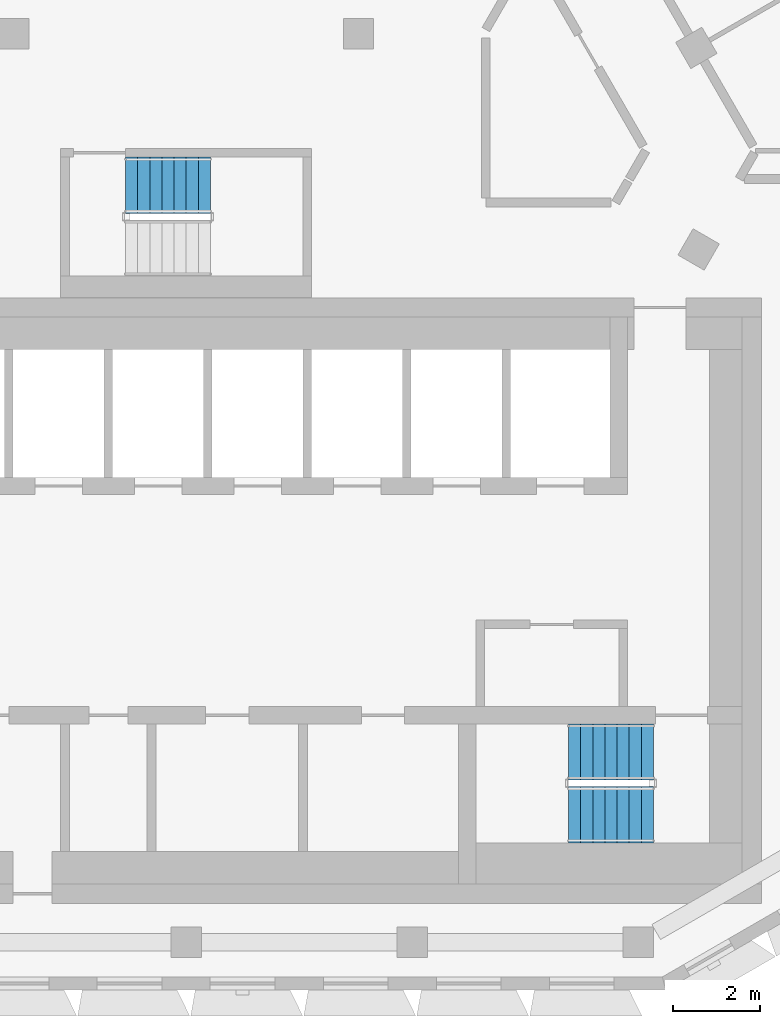
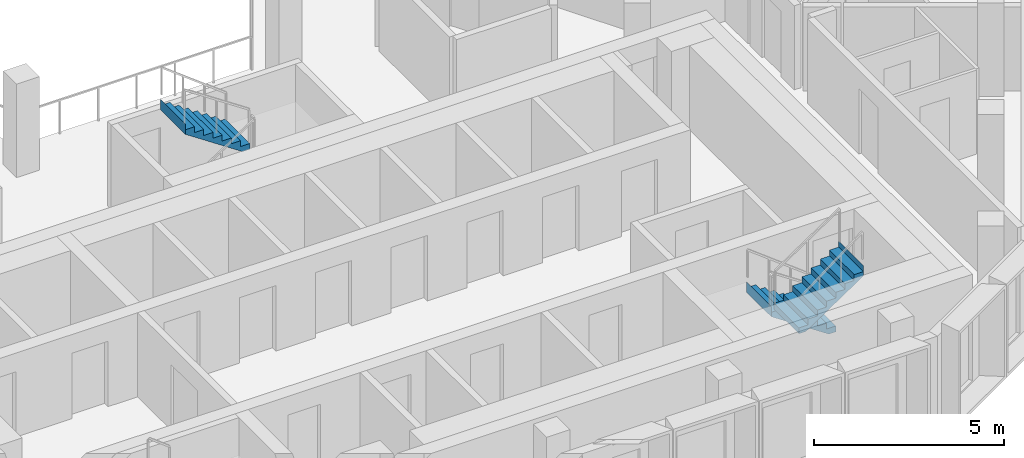
# One storey, part 11 of 16: 3 stair flights, 2 elements without a shape of their own.
"""IFC4 building model written with IfcOpenShell, lengths in metres."""

from ifc_helpers import new_model, si_unit, direction, frame, origin, place, context, subcontext, project, spatial, triangles, material, type_object, element, aggregate, save


model = new_model("IFC4")

# Units and contexts
model_context = context("Model", 3, precision=1e-05, world=origin(), true_north=direction((0.0, 1.0)))
body_context = subcontext(model_context, "Body", "Model", "MODEL_VIEW")
ifc_project = project(units=[si_unit("LENGTHUNIT", "METRE"), si_unit("AREAUNIT", "SQUARE_METRE"), si_unit("VOLUMEUNIT", "CUBIC_METRE"), si_unit("PLANEANGLEUNIT", "RADIAN"), si_unit("MASSUNIT", "GRAM", prefix="KILO")], contexts=[model_context])

# Site, building, storey
site_placement = place(None, origin())
site = spatial("IfcSite", under=ifc_project, at=site_placement, CompositionType="ELEMENT")
building_placement = place(site_placement, origin())
building = spatial("IfcBuilding", under=site, at=building_placement, Name="Beryl Residences", CompositionType="ELEMENT")
storey_placement = place(building_placement, frame((0.0, 0.0, 220.800048828125)))
storey = spatial("IfcBuildingStorey", under=building, at=storey_placement, Name="L68", CompositionType="ELEMENT", Elevation=220.800048828125)

# Stair, stair flights
ifc_material_1 = material(Name="Concrete C40/50", Category="concrete")
stair_type = type_object("IfcStairType", Name="ST1 protected exit stair, half-turn, 1300 mm flights", PredefinedType="HALF_TURN_STAIR", material=ifc_material_1)
stair_1_placement = place(storey_placement, origin())
stair_1 = element("IfcStair", 1, at=stair_1_placement, inside=storey, type_object=stair_type, Name="L68 PROTECTED EXIT STAIR ST-3", PredefinedType="HALF_TURN_STAIR")
ifc_material_2 = material(Name="Concrete C40/50", Category="concrete")
stair_flight_type = type_object("IfcStairFlightType", Name="SF1 stair flight 1300 mm", PredefinedType="STRAIGHT", material=ifc_material_2)
stair_flight_1_placement = place(storey_placement, frame((10.800048828125, -15.5, 0.0), z_axis=(0.0, 0.0, 1.0), x_axis=(-1.0, 0.0, 0.0)))
stair_flight_1 = element("IfcStairFlight", 2, at=stair_flight_1_placement, type_object=stair_flight_type, Name="ST-3 flight 1", NumberOfRisers=8, NumberOfTreads=7, PredefinedType="STRAIGHT", RiserHeight=0.1875, TreadLength=0.28, context=body_context, shape_type="Tessellation", body=[
    triangles([(0.0, -0.64990234375, 0.0), (0.0, -0.324951171875, 0.0), (0.0, 0.0, 0.0), (0.0, 0.324951171875, 0.0), (0.0, 0.64990234375, 0.0), (0.0, -0.64990234375, 0.1875), (0.0, -0.324951171875, 0.1875), (0.0, 0.0, 0.1875), (0.0, 0.324951171875, 0.1875), (0.0, 0.64990234375, 0.1875), (0.280029296875, -0.64990234375, 0.1875), (0.280029296875, -0.324951171875, 0.1875), (0.280029296875, 0.0, 0.1875), (0.280029296875, 0.324951171875, 0.1875), (0.280029296875, 0.64990234375, 0.1875), (0.280029296875, -0.64990234375, 0.375), (0.280029296875, -0.324951171875, 0.375), (0.280029296875, 0.0, 0.375), (0.280029296875, 0.324951171875, 0.375), (0.280029296875, 0.64990234375, 0.375), (0.56005859375, -0.64990234375, 0.375), (0.56005859375, -0.324951171875, 0.375), (0.56005859375, 0.0, 0.375), (0.56005859375, 0.324951171875, 0.375), (0.56005859375, 0.64990234375, 0.375), (0.56005859375, -0.64990234375, 0.5625), (0.56005859375, -0.324951171875, 0.5625), (0.56005859375, 0.0, 0.5625), (0.56005859375, 0.324951171875, 0.5625), (0.56005859375, 0.64990234375, 0.5625), (0.840087890625, -0.64990234375, 0.5625), (0.840087890625, -0.324951171875, 0.5625), (0.840087890625, 0.0, 0.5625), (0.840087890625, 0.324951171875, 0.5625), (0.840087890625, 0.64990234375, 0.5625), (0.840087890625, -0.64990234375, 0.75), (0.840087890625, -0.324951171875, 0.75), (0.840087890625, 0.0, 0.75), (0.840087890625, 0.324951171875, 0.75), (0.840087890625, 0.64990234375, 0.75), (1.1201171875, -0.64990234375, 0.75), (1.1201171875, -0.324951171875, 0.75), (1.1201171875, 0.0, 0.75), (1.1201171875, 0.324951171875, 0.75), (1.1201171875, 0.64990234375, 0.75), (1.1201171875, -0.64990234375, 0.9375), (1.1201171875, -0.324951171875, 0.9375), (1.1201171875, 0.0, 0.9375), (1.1201171875, 0.324951171875, 0.9375), (1.1201171875, 0.64990234375, 0.9375), (1.39990234375, -0.64990234375, 0.9375), (1.39990234375, -0.324951171875, 0.9375), (1.39990234375, 0.0, 0.9375), (1.39990234375, 0.324951171875, 0.9375), (1.39990234375, 0.64990234375, 0.9375), (1.39990234375, -0.64990234375, 1.125), (1.39990234375, -0.324951171875, 1.125), (1.39990234375, 0.0, 1.125), (1.39990234375, 0.324951171875, 1.125), (1.39990234375, 0.64990234375, 1.125), (1.679931640625, -0.64990234375, 1.125), (1.679931640625, -0.324951171875, 1.125), (1.679931640625, 0.0, 1.125), (1.679931640625, 0.324951171875, 1.125), (1.679931640625, 0.64990234375, 1.125), (1.679931640625, -0.64990234375, 1.3125), (1.679931640625, -0.324951171875, 1.3125), (1.679931640625, 0.0, 1.3125), (1.679931640625, 0.324951171875, 1.3125), (1.679931640625, 0.64990234375, 1.3125), (1.9599609375, -0.64990234375, 1.3125), (1.9599609375, -0.324951171875, 1.3125), (1.9599609375, 0.0, 1.3125), (1.9599609375, 0.324951171875, 1.3125), (1.9599609375, 0.64990234375, 1.3125), (1.9599609375, -0.64990234375, 1.5), (1.9599609375, -0.324951171875, 1.5), (1.9599609375, 0.0, 1.5), (1.9599609375, 0.324951171875, 1.5), (1.9599609375, 0.64990234375, 1.5), (1.9609375, -0.64990234375, 1.5), (1.9609375, -0.324951171875, 1.5), (1.9609375, 0.0, 1.5), (1.9609375, 0.324951171875, 1.5), (1.9609375, 0.64990234375, 1.5), (1.9609375, -0.64990234375, 1.16796875), (1.9609375, -0.324951171875, 1.16796875), (1.9609375, 0.0, 1.16796875), (1.9609375, 0.324951171875, 1.16796875), (1.9609375, 0.64990234375, 1.16796875), (0.216796875, -0.64990234375, 0.0), (0.216796875, -0.324951171875, 0.0), (0.216796875, 0.0, 0.0), (0.216796875, 0.324951171875, 0.0), (0.216796875, 0.64990234375, 0.0)], [[1, 6, 7], [1, 7, 2], [2, 7, 8], [2, 8, 3], [3, 8, 9], [3, 9, 4], [4, 9, 10], [4, 10, 5], [6, 11, 12], [6, 12, 7], [7, 12, 13], [7, 13, 8], [8, 13, 14], [8, 14, 9], [9, 14, 15], [9, 15, 10], [11, 16, 17], [11, 17, 12], [12, 17, 18], [12, 18, 13], [13, 18, 19], [13, 19, 14], [14, 19, 20], [14, 20, 15], [16, 21, 22], [16, 22, 17], [17, 22, 23], [17, 23, 18], [18, 23, 24], [18, 24, 19], [19, 24, 25], [19, 25, 20], [21, 26, 27], [21, 27, 22], [22, 27, 28], [22, 28, 23], [23, 28, 29], [23, 29, 24], [24, 29, 30], [24, 30, 25], [26, 31, 32], [26, 32, 27], [27, 32, 33], [27, 33, 28], [28, 33, 34], [28, 34, 29], [29, 34, 35], [29, 35, 30], [31, 36, 37], [31, 37, 32], [32, 37, 38], [32, 38, 33], [33, 38, 39], [33, 39, 34], [34, 39, 40], [34, 40, 35], [36, 41, 42], [36, 42, 37], [37, 42, 43], [37, 43, 38], [38, 43, 44], [38, 44, 39], [39, 44, 45], [39, 45, 40], [41, 46, 47], [41, 47, 42], [42, 47, 48], [42, 48, 43], [43, 48, 49], [43, 49, 44], [44, 49, 50], [44, 50, 45], [46, 51, 52], [46, 52, 47], [47, 52, 53], [47, 53, 48], [48, 53, 54], [48, 54, 49], [49, 54, 55], [49, 55, 50], [51, 56, 57], [51, 57, 52], [52, 57, 58], [52, 58, 53], [53, 58, 59], [53, 59, 54], [54, 59, 60], [54, 60, 55], [56, 61, 62], [56, 62, 57], [57, 62, 63], [57, 63, 58], [58, 63, 64], [58, 64, 59], [59, 64, 65], [59, 65, 60], [61, 66, 67], [61, 67, 62], [62, 67, 68], [62, 68, 63], [63, 68, 69], [63, 69, 64], [64, 69, 70], [64, 70, 65], [66, 71, 72], [66, 72, 67], [67, 72, 73], [67, 73, 68], [68, 73, 74], [68, 74, 69], [69, 74, 75], [69, 75, 70], [71, 76, 77], [71, 77, 72], [72, 77, 78], [72, 78, 73], [73, 78, 79], [73, 79, 74], [74, 79, 80], [74, 80, 75], [76, 81, 82], [76, 82, 77], [77, 82, 83], [77, 83, 78], [78, 83, 84], [78, 84, 79], [79, 84, 85], [79, 85, 80], [81, 86, 87], [81, 87, 82], [82, 87, 88], [82, 88, 83], [83, 88, 89], [83, 89, 84], [84, 89, 90], [84, 90, 85], [86, 91, 92], [86, 92, 87], [87, 92, 93], [87, 93, 88], [88, 93, 94], [88, 94, 89], [89, 94, 95], [89, 95, 90], [91, 1, 2], [91, 2, 92], [92, 2, 3], [92, 3, 93], [93, 3, 4], [93, 4, 94], [94, 4, 5], [94, 5, 95], [1, 91, 86], [5, 90, 95], [86, 81, 76], [90, 80, 85], [86, 76, 71], [90, 75, 80], [86, 71, 66], [90, 70, 75], [86, 66, 61], [90, 65, 70], [61, 56, 51], [65, 55, 60], [86, 61, 51], [90, 55, 65], [51, 46, 41], [55, 45, 50], [86, 51, 41], [90, 45, 55], [41, 36, 31], [45, 35, 40], [86, 41, 31], [90, 35, 45], [31, 26, 21], [35, 25, 30], [86, 31, 21], [90, 25, 35], [21, 16, 11], [25, 15, 20], [86, 21, 11], [90, 15, 25], [1, 86, 11], [5, 15, 90], [11, 6, 1], [15, 5, 10]], closed=True),
])
stair_flight_2_placement = place(storey_placement, frame((8.840087890625, -16.949951171875, 1.5), z_axis=(0.0, 0.0, 1.0), x_axis=(1.0, 0.0, 0.0)))
stair_flight_2 = element("IfcStairFlight", 3, at=stair_flight_2_placement, type_object=stair_flight_type, Name="ST-3 flight 2", NumberOfRisers=8, NumberOfTreads=7, PredefinedType="STRAIGHT", RiserHeight=0.1875, TreadLength=0.28, context=body_context, shape_type="Tessellation", body=[
    triangles([(0.0, -0.64990234375, 0.0), (0.0, -0.324951171875, 0.0), (0.0, 0.0, 0.0), (0.0, 0.324951171875, 0.0), (0.0, 0.64990234375, 0.0), (0.0, -0.64990234375, 0.1875), (0.0, -0.324951171875, 0.1875), (0.0, 0.0, 0.1875), (0.0, 0.324951171875, 0.1875), (0.0, 0.64990234375, 0.1875), (0.280029296875, -0.64990234375, 0.1875), (0.280029296875, -0.324951171875, 0.1875), (0.280029296875, 0.0, 0.1875), (0.280029296875, 0.324951171875, 0.1875), (0.280029296875, 0.64990234375, 0.1875), (0.280029296875, -0.64990234375, 0.375), (0.280029296875, -0.324951171875, 0.375), (0.280029296875, 0.0, 0.375), (0.280029296875, 0.324951171875, 0.375), (0.280029296875, 0.64990234375, 0.375), (0.56005859375, -0.64990234375, 0.375), (0.56005859375, -0.324951171875, 0.375), (0.56005859375, 0.0, 0.375), (0.56005859375, 0.324951171875, 0.375), (0.56005859375, 0.64990234375, 0.375), (0.56005859375, -0.64990234375, 0.5625), (0.56005859375, -0.324951171875, 0.5625), (0.56005859375, 0.0, 0.5625), (0.56005859375, 0.324951171875, 0.5625), (0.56005859375, 0.64990234375, 0.5625), (0.840087890625, -0.64990234375, 0.5625), (0.840087890625, -0.324951171875, 0.5625), (0.840087890625, 0.0, 0.5625), (0.840087890625, 0.324951171875, 0.5625), (0.840087890625, 0.64990234375, 0.5625), (0.840087890625, -0.64990234375, 0.75), (0.840087890625, -0.324951171875, 0.75), (0.840087890625, 0.0, 0.75), (0.840087890625, 0.324951171875, 0.75), (0.840087890625, 0.64990234375, 0.75), (1.1201171875, -0.64990234375, 0.75), (1.1201171875, -0.324951171875, 0.75), (1.1201171875, 0.0, 0.75), (1.1201171875, 0.324951171875, 0.75), (1.1201171875, 0.64990234375, 0.75), (1.1201171875, -0.64990234375, 0.9375), (1.1201171875, -0.324951171875, 0.9375), (1.1201171875, 0.0, 0.9375), (1.1201171875, 0.324951171875, 0.9375), (1.1201171875, 0.64990234375, 0.9375), (1.39990234375, -0.64990234375, 0.9375), (1.39990234375, -0.324951171875, 0.9375), (1.39990234375, 0.0, 0.9375), (1.39990234375, 0.324951171875, 0.9375), (1.39990234375, 0.64990234375, 0.9375), (1.39990234375, -0.64990234375, 1.125), (1.39990234375, -0.324951171875, 1.125), (1.39990234375, 0.0, 1.125), (1.39990234375, 0.324951171875, 1.125), (1.39990234375, 0.64990234375, 1.125), (1.679931640625, -0.64990234375, 1.125), (1.679931640625, -0.324951171875, 1.125), (1.679931640625, 0.0, 1.125), (1.679931640625, 0.324951171875, 1.125), (1.679931640625, 0.64990234375, 1.125), (1.679931640625, -0.64990234375, 1.3125), (1.679931640625, -0.324951171875, 1.3125), (1.679931640625, 0.0, 1.3125), (1.679931640625, 0.324951171875, 1.3125), (1.679931640625, 0.64990234375, 1.3125), (1.9599609375, -0.64990234375, 1.3125), (1.9599609375, -0.324951171875, 1.3125), (1.9599609375, 0.0, 1.3125), (1.9599609375, 0.324951171875, 1.3125), (1.9599609375, 0.64990234375, 1.3125), (1.9599609375, -0.64990234375, 1.5), (1.9599609375, -0.324951171875, 1.5), (1.9599609375, 0.0, 1.5), (1.9599609375, 0.324951171875, 1.5), (1.9599609375, 0.64990234375, 1.5), (1.9609375, -0.64990234375, 1.5), (1.9609375, -0.324951171875, 1.5), (1.9609375, 0.0, 1.5), (1.9609375, 0.324951171875, 1.5), (1.9609375, 0.64990234375, 1.5), (1.9609375, -0.64990234375, 1.16796875), (1.9609375, -0.324951171875, 1.16796875), (1.9609375, 0.0, 1.16796875), (1.9609375, 0.324951171875, 1.16796875), (1.9609375, 0.64990234375, 1.16796875), (0.216796875, -0.64990234375, 0.0), (0.216796875, -0.324951171875, 0.0), (0.216796875, 0.0, 0.0), (0.216796875, 0.324951171875, 0.0), (0.216796875, 0.64990234375, 0.0)], [[1, 6, 7], [1, 7, 2], [2, 7, 8], [2, 8, 3], [3, 8, 9], [3, 9, 4], [4, 9, 10], [4, 10, 5], [6, 11, 12], [6, 12, 7], [7, 12, 13], [7, 13, 8], [8, 13, 14], [8, 14, 9], [9, 14, 15], [9, 15, 10], [11, 16, 17], [11, 17, 12], [12, 17, 18], [12, 18, 13], [13, 18, 19], [13, 19, 14], [14, 19, 20], [14, 20, 15], [16, 21, 22], [16, 22, 17], [17, 22, 23], [17, 23, 18], [18, 23, 24], [18, 24, 19], [19, 24, 25], [19, 25, 20], [21, 26, 27], [21, 27, 22], [22, 27, 28], [22, 28, 23], [23, 28, 29], [23, 29, 24], [24, 29, 30], [24, 30, 25], [26, 31, 32], [26, 32, 27], [27, 32, 33], [27, 33, 28], [28, 33, 34], [28, 34, 29], [29, 34, 35], [29, 35, 30], [31, 36, 37], [31, 37, 32], [32, 37, 38], [32, 38, 33], [33, 38, 39], [33, 39, 34], [34, 39, 40], [34, 40, 35], [36, 41, 42], [36, 42, 37], [37, 42, 43], [37, 43, 38], [38, 43, 44], [38, 44, 39], [39, 44, 45], [39, 45, 40], [41, 46, 47], [41, 47, 42], [42, 47, 48], [42, 48, 43], [43, 48, 49], [43, 49, 44], [44, 49, 50], [44, 50, 45], [46, 51, 52], [46, 52, 47], [47, 52, 53], [47, 53, 48], [48, 53, 54], [48, 54, 49], [49, 54, 55], [49, 55, 50], [51, 56, 57], [51, 57, 52], [52, 57, 58], [52, 58, 53], [53, 58, 59], [53, 59, 54], [54, 59, 60], [54, 60, 55], [56, 61, 62], [56, 62, 57], [57, 62, 63], [57, 63, 58], [58, 63, 64], [58, 64, 59], [59, 64, 65], [59, 65, 60], [61, 66, 67], [61, 67, 62], [62, 67, 68], [62, 68, 63], [63, 68, 69], [63, 69, 64], [64, 69, 70], [64, 70, 65], [66, 71, 72], [66, 72, 67], [67, 72, 73], [67, 73, 68], [68, 73, 74], [68, 74, 69], [69, 74, 75], [69, 75, 70], [71, 76, 77], [71, 77, 72], [72, 77, 78], [72, 78, 73], [73, 78, 79], [73, 79, 74], [74, 79, 80], [74, 80, 75], [76, 81, 82], [76, 82, 77], [77, 82, 83], [77, 83, 78], [78, 83, 84], [78, 84, 79], [79, 84, 85], [79, 85, 80], [81, 86, 87], [81, 87, 82], [82, 87, 88], [82, 88, 83], [83, 88, 89], [83, 89, 84], [84, 89, 90], [84, 90, 85], [86, 91, 92], [86, 92, 87], [87, 92, 93], [87, 93, 88], [88, 93, 94], [88, 94, 89], [89, 94, 95], [89, 95, 90], [91, 1, 2], [91, 2, 92], [92, 2, 3], [92, 3, 93], [93, 3, 4], [93, 4, 94], [94, 4, 5], [94, 5, 95], [1, 91, 86], [5, 90, 95], [86, 81, 76], [90, 80, 85], [86, 76, 71], [90, 75, 80], [86, 71, 66], [90, 70, 75], [86, 66, 61], [90, 65, 70], [61, 56, 51], [65, 55, 60], [86, 61, 51], [90, 55, 65], [51, 46, 41], [55, 45, 50], [86, 51, 41], [90, 45, 55], [41, 36, 31], [45, 35, 40], [86, 41, 31], [90, 35, 45], [31, 26, 21], [35, 25, 30], [86, 31, 21], [90, 25, 35], [21, 16, 11], [25, 15, 20], [86, 21, 11], [90, 15, 25], [1, 86, 11], [5, 15, 90], [11, 6, 1], [15, 5, 10]], closed=True),
])
aggregate(stair_1, [stair_flight_1, stair_flight_2])

# Stair, stair flight
stair_2_placement = place(storey_placement, origin())
stair_2 = element("IfcStair", 4, at=stair_2_placement, inside=storey, type_object=stair_type, Name="L68 PROTECTED EXIT STAIR ST-4", PredefinedType="HALF_TURN_STAIR")
stair_flight_3_placement = place(storey_placement, frame((0.56005859375, -2.39990234375, 1.5), z_axis=(0.0, 0.0, 1.0), x_axis=(-1.0, 0.0, 0.0)))
stair_flight_3 = element("IfcStairFlight", 5, at=stair_flight_3_placement, type_object=stair_flight_type, Name="ST-4 flight 2", NumberOfRisers=8, NumberOfTreads=7, PredefinedType="STRAIGHT", RiserHeight=0.1875, TreadLength=0.28, context=body_context, shape_type="Tessellation", body=[
    triangles([(0.0, -0.64990234375, 0.0), (0.0, -0.324951171875, 0.0), (0.0, 0.0, 0.0), (0.0, 0.324951171875, 0.0), (0.0, 0.64990234375, 0.0), (0.0, -0.64990234375, 0.1875), (0.0, -0.324951171875, 0.1875), (0.0, 0.0, 0.1875), (0.0, 0.324951171875, 0.1875), (0.0, 0.64990234375, 0.1875), (0.280029296875, -0.64990234375, 0.1875), (0.280029296875, -0.324951171875, 0.1875), (0.280029296875, 0.0, 0.1875), (0.280029296875, 0.324951171875, 0.1875), (0.280029296875, 0.64990234375, 0.1875), (0.280029296875, -0.64990234375, 0.375), (0.280029296875, -0.324951171875, 0.375), (0.280029296875, 0.0, 0.375), (0.280029296875, 0.324951171875, 0.375), (0.280029296875, 0.64990234375, 0.375), (0.56005859375, -0.64990234375, 0.375), (0.56005859375, -0.324951171875, 0.375), (0.56005859375, 0.0, 0.375), (0.56005859375, 0.324951171875, 0.375), (0.56005859375, 0.64990234375, 0.375), (0.56005859375, -0.64990234375, 0.5625), (0.56005859375, -0.324951171875, 0.5625), (0.56005859375, 0.0, 0.5625), (0.56005859375, 0.324951171875, 0.5625), (0.56005859375, 0.64990234375, 0.5625), (0.840087890625, -0.64990234375, 0.5625), (0.840087890625, -0.324951171875, 0.5625), (0.840087890625, 0.0, 0.5625), (0.840087890625, 0.324951171875, 0.5625), (0.840087890625, 0.64990234375, 0.5625), (0.840087890625, -0.64990234375, 0.75), (0.840087890625, -0.324951171875, 0.75), (0.840087890625, 0.0, 0.75), (0.840087890625, 0.324951171875, 0.75), (0.840087890625, 0.64990234375, 0.75), (1.1201171875, -0.64990234375, 0.75), (1.1201171875, -0.324951171875, 0.75), (1.1201171875, 0.0, 0.75), (1.1201171875, 0.324951171875, 0.75), (1.1201171875, 0.64990234375, 0.75), (1.1201171875, -0.64990234375, 0.9375), (1.1201171875, -0.324951171875, 0.9375), (1.1201171875, 0.0, 0.9375), (1.1201171875, 0.324951171875, 0.9375), (1.1201171875, 0.64990234375, 0.9375), (1.39990234375, -0.64990234375, 0.9375), (1.39990234375, -0.324951171875, 0.9375), (1.39990234375, 0.0, 0.9375), (1.39990234375, 0.324951171875, 0.9375), (1.39990234375, 0.64990234375, 0.9375), (1.39990234375, -0.64990234375, 1.125), (1.39990234375, -0.324951171875, 1.125), (1.39990234375, 0.0, 1.125), (1.39990234375, 0.324951171875, 1.125), (1.39990234375, 0.64990234375, 1.125), (1.679931640625, -0.64990234375, 1.125), (1.679931640625, -0.324951171875, 1.125), (1.679931640625, 0.0, 1.125), (1.679931640625, 0.324951171875, 1.125), (1.679931640625, 0.64990234375, 1.125), (1.679931640625, -0.64990234375, 1.3125), (1.679931640625, -0.324951171875, 1.3125), (1.679931640625, 0.0, 1.3125), (1.679931640625, 0.324951171875, 1.3125), (1.679931640625, 0.64990234375, 1.3125), (1.9599609375, -0.64990234375, 1.3125), (1.9599609375, -0.324951171875, 1.3125), (1.9599609375, 0.0, 1.3125), (1.9599609375, 0.324951171875, 1.3125), (1.9599609375, 0.64990234375, 1.3125), (1.9599609375, -0.64990234375, 1.5), (1.9599609375, -0.324951171875, 1.5), (1.9599609375, 0.0, 1.5), (1.9599609375, 0.324951171875, 1.5), (1.9599609375, 0.64990234375, 1.5), (1.9609375, -0.64990234375, 1.5), (1.9609375, -0.324951171875, 1.5), (1.9609375, 0.0, 1.5), (1.9609375, 0.324951171875, 1.5), (1.9609375, 0.64990234375, 1.5), (1.9609375, -0.64990234375, 1.16796875), (1.9609375, -0.324951171875, 1.16796875), (1.9609375, 0.0, 1.16796875), (1.9609375, 0.324951171875, 1.16796875), (1.9609375, 0.64990234375, 1.16796875), (0.216796875, -0.64990234375, 0.0), (0.216796875, -0.324951171875, 0.0), (0.216796875, 0.0, 0.0), (0.216796875, 0.324951171875, 0.0), (0.216796875, 0.64990234375, 0.0)], [[1, 6, 7], [1, 7, 2], [2, 7, 8], [2, 8, 3], [3, 8, 9], [3, 9, 4], [4, 9, 10], [4, 10, 5], [6, 11, 12], [6, 12, 7], [7, 12, 13], [7, 13, 8], [8, 13, 14], [8, 14, 9], [9, 14, 15], [9, 15, 10], [11, 16, 17], [11, 17, 12], [12, 17, 18], [12, 18, 13], [13, 18, 19], [13, 19, 14], [14, 19, 20], [14, 20, 15], [16, 21, 22], [16, 22, 17], [17, 22, 23], [17, 23, 18], [18, 23, 24], [18, 24, 19], [19, 24, 25], [19, 25, 20], [21, 26, 27], [21, 27, 22], [22, 27, 28], [22, 28, 23], [23, 28, 29], [23, 29, 24], [24, 29, 30], [24, 30, 25], [26, 31, 32], [26, 32, 27], [27, 32, 33], [27, 33, 28], [28, 33, 34], [28, 34, 29], [29, 34, 35], [29, 35, 30], [31, 36, 37], [31, 37, 32], [32, 37, 38], [32, 38, 33], [33, 38, 39], [33, 39, 34], [34, 39, 40], [34, 40, 35], [36, 41, 42], [36, 42, 37], [37, 42, 43], [37, 43, 38], [38, 43, 44], [38, 44, 39], [39, 44, 45], [39, 45, 40], [41, 46, 47], [41, 47, 42], [42, 47, 48], [42, 48, 43], [43, 48, 49], [43, 49, 44], [44, 49, 50], [44, 50, 45], [46, 51, 52], [46, 52, 47], [47, 52, 53], [47, 53, 48], [48, 53, 54], [48, 54, 49], [49, 54, 55], [49, 55, 50], [51, 56, 57], [51, 57, 52], [52, 57, 58], [52, 58, 53], [53, 58, 59], [53, 59, 54], [54, 59, 60], [54, 60, 55], [56, 61, 62], [56, 62, 57], [57, 62, 63], [57, 63, 58], [58, 63, 64], [58, 64, 59], [59, 64, 65], [59, 65, 60], [61, 66, 67], [61, 67, 62], [62, 67, 68], [62, 68, 63], [63, 68, 69], [63, 69, 64], [64, 69, 70], [64, 70, 65], [66, 71, 72], [66, 72, 67], [67, 72, 73], [67, 73, 68], [68, 73, 74], [68, 74, 69], [69, 74, 75], [69, 75, 70], [71, 76, 77], [71, 77, 72], [72, 77, 78], [72, 78, 73], [73, 78, 79], [73, 79, 74], [74, 79, 80], [74, 80, 75], [76, 81, 82], [76, 82, 77], [77, 82, 83], [77, 83, 78], [78, 83, 84], [78, 84, 79], [79, 84, 85], [79, 85, 80], [81, 86, 87], [81, 87, 82], [82, 87, 88], [82, 88, 83], [83, 88, 89], [83, 89, 84], [84, 89, 90], [84, 90, 85], [86, 91, 92], [86, 92, 87], [87, 92, 93], [87, 93, 88], [88, 93, 94], [88, 94, 89], [89, 94, 95], [89, 95, 90], [91, 1, 2], [91, 2, 92], [92, 2, 3], [92, 3, 93], [93, 3, 4], [93, 4, 94], [94, 4, 5], [94, 5, 95], [1, 91, 86], [5, 90, 95], [86, 81, 76], [90, 80, 85], [86, 76, 71], [90, 75, 80], [86, 71, 66], [90, 70, 75], [86, 66, 61], [90, 65, 70], [61, 56, 51], [65, 55, 60], [86, 61, 51], [90, 55, 65], [51, 46, 41], [55, 45, 50], [86, 51, 41], [90, 45, 55], [41, 36, 31], [45, 35, 40], [86, 41, 31], [90, 35, 45], [31, 26, 21], [35, 25, 30], [86, 31, 21], [90, 25, 35], [21, 16, 11], [25, 15, 20], [86, 21, 11], [90, 15, 25], [1, 86, 11], [5, 15, 90], [11, 6, 1], [15, 5, 10]], closed=True),
])
aggregate(stair_2, [stair_flight_3])

save(model, "model.ifc")
